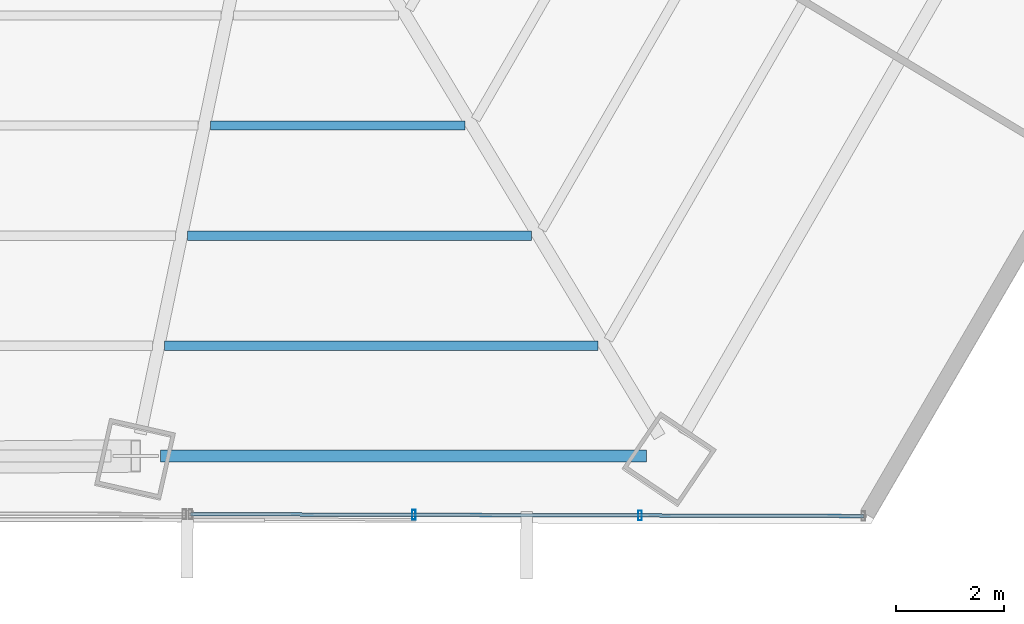
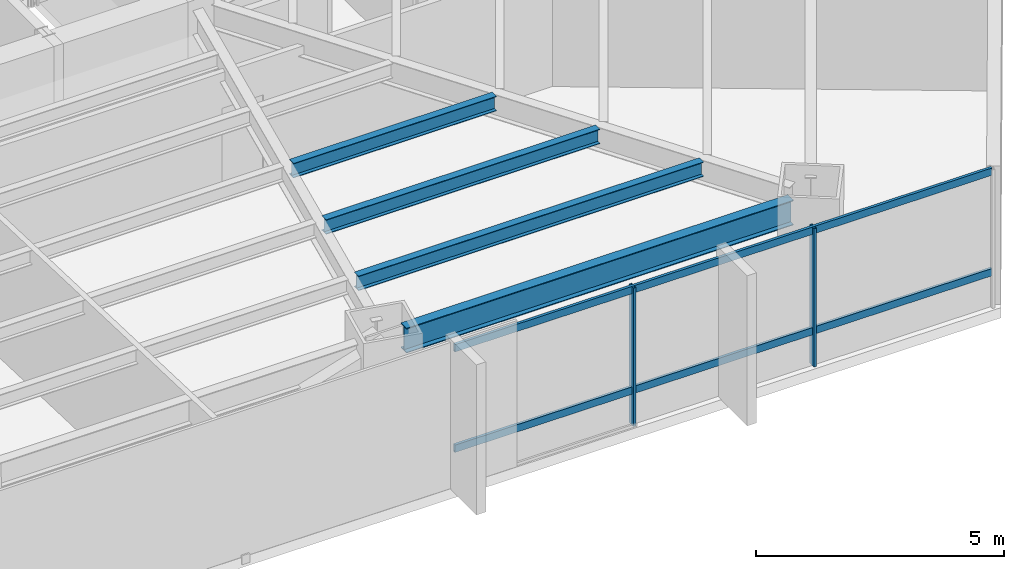
# One storey, part 12 of 33: 4 beams, 4 members, 1 element without a shape of its own.
"""IFC4 building model written with IfcOpenShell, lengths in metres."""

from ifc_helpers import new_model, si_unit, direction, frame, origin, origin_2d, place, context, subcontext, project, spatial, hollow_rectangle, i_section, extrude, source, transform, mapped, material, material_profile, profile_set, type_object, type_shapes, element, aggregate, save


model = new_model("IFC4")

# Units and contexts
model_context = context("Model", 3, precision=1e-05, world=origin(), true_north=direction((0.0, 1.0)))
body_context = subcontext(model_context, "Body", "Model", "MODEL_VIEW")
ifc_project = project(units=[si_unit("LENGTHUNIT", "METRE"), si_unit("AREAUNIT", "SQUARE_METRE"), si_unit("VOLUMEUNIT", "CUBIC_METRE"), si_unit("PLANEANGLEUNIT", "RADIAN"), si_unit("MASSUNIT", "GRAM", prefix="KILO")], contexts=[model_context])

# Site, building, storey
site_placement = place(None, origin())
site = spatial("IfcSite", under=ifc_project, at=site_placement, CompositionType="ELEMENT")
building_placement = place(site_placement, origin())
building = spatial("IfcBuilding", under=site, at=building_placement, Name="Caelisora Broadcast Tower", CompositionType="ELEMENT")
storey_placement = place(building_placement, frame((0.0, 0.0, 42.199951171875)))
storey = spatial("IfcBuildingStorey", under=building, at=storey_placement, Name="L10", CompositionType="ELEMENT", Elevation=42.199951171875)

# Beams
ifc_material_1 = material(Name="Steel Grade 350 (AS/NZS 3679.1)", Category="steel")
ifc_material_profile_1 = material_profile(ifc_material_1, i_section(OverallWidth=0.22900390625, OverallDepth=0.611572265625, WebThickness=0.011962890625, FlangeThickness=0.01953125, at=origin_2d()), Name="Steel Grade 350 (AS/NZS 3679.1)")
ifc_profile_set_1 = profile_set([ifc_material_profile_1], Name="Steel Grade 350 (AS/NZS 3679.1)")
beam_type_1 = type_object("IfcBeamType", Name="PG03", PredefinedType="BEAM", material=ifc_profile_set_1)
shared_shape_1 = source(origin(), body_context, "Body", "SweptSolid", [
    extrude(i_section(OverallWidth=0.22900390625, OverallDepth=0.611572265625, WebThickness=0.011962890625, FlangeThickness=0.01953125, at=origin_2d()), origin(), (0.0, 0.0, 1.0), 8.998779296875),
])
type_shapes(beam_type_1, [shared_shape_1])
beam_1_placement = place(storey_placement, frame((43.41943359375, 5.16162109375, 3.09423828125), z_axis=(1.0, 0.0, 0.0), x_axis=(0.0, 1.0, 0.0)))
element("IfcBeam", 1, at=beam_1_placement, inside=storey, type_object=beam_type_1, Name="L10 beam PG03", PredefinedType="BEAM", context=body_context, shape_type="MappedRepresentation", body=[
    mapped(shared_shape_1, transform((0.0, 0.0, 0.0), scale=1.0)),
])
ifc_material_profile_2 = material_profile(ifc_material_1, i_section(OverallWidth=0.172119140625, OverallDepth=0.358642578125, WebThickness=0.008056640625, FlangeThickness=0.012939453125, at=origin_2d()), Name="Steel Grade 350 (AS/NZS 3679.1)")
ifc_profile_set_2 = profile_set([ifc_material_profile_2], Name="Steel Grade 350 (AS/NZS 3679.1)")
beam_type_2 = type_object("IfcBeamType", Name="SB02", PredefinedType="JOIST", material=ifc_profile_set_2)
shared_shape_2 = source(origin(), body_context, "Body", "SweptSolid", [
    extrude(i_section(OverallWidth=0.172119140625, OverallDepth=0.358642578125, WebThickness=0.008056640625, FlangeThickness=0.012939453125, at=origin_2d()), origin(), (0.0, 0.0, 1.0), 4.716064453125),
])
beam_2_placement = place(storey_placement, frame((44.343017578125, 11.28076171875, 3.220703125), z_axis=(1.0, 0.0, 0.0), x_axis=(0.0, 1.0, 0.0)))
element("IfcBeam", 2, at=beam_2_placement, inside=storey, type_object=beam_type_2, Name="L10 beam SB02", PredefinedType="JOIST", context=body_context, shape_type="MappedRepresentation", body=[
    mapped(shared_shape_2, transform((0.0, 0.0, 0.0), scale=1.0)),
])
shared_shape_3 = source(origin(), body_context, "Body", "SweptSolid", [
    extrude(i_section(OverallWidth=0.172119140625, OverallDepth=0.358642578125, WebThickness=0.008056640625, FlangeThickness=0.012939453125, at=origin_2d()), origin(), (0.0, 0.0, 1.0), 6.369140625),
])
beam_3_placement = place(storey_placement, frame((43.919677734375, 9.240966796875, 3.220703125), z_axis=(1.0, 0.0, 0.0), x_axis=(0.0, 1.0, 0.0)))
element("IfcBeam", 3, at=beam_3_placement, inside=storey, type_object=beam_type_2, Name="L10 beam SB02", PredefinedType="JOIST", context=body_context, shape_type="MappedRepresentation", body=[
    mapped(shared_shape_3, transform((0.0, 0.0, 0.0), scale=1.0)),
])
shared_shape_4 = source(origin(), body_context, "Body", "SweptSolid", [
    extrude(i_section(OverallWidth=0.172119140625, OverallDepth=0.358642578125, WebThickness=0.008056640625, FlangeThickness=0.012939453125, at=origin_2d()), origin(), (0.0, 0.0, 1.0), 8.022216796875),
])
type_shapes(beam_type_2, [shared_shape_2, shared_shape_3, shared_shape_4])
beam_4_placement = place(storey_placement, frame((43.49609375, 7.201171875, 3.220703125), z_axis=(1.0, 0.0, 0.0), x_axis=(0.0, 1.0, 0.0)))
element("IfcBeam", 4, at=beam_4_placement, inside=storey, type_object=beam_type_2, Name="L10 beam SB02", PredefinedType="JOIST", context=body_context, shape_type="MappedRepresentation", body=[
    mapped(shared_shape_4, transform((0.0, 0.0, 0.0), scale=1.0)),
])

# Curtain wall, members
ifc_material_2 = material(Name="Unitised Aluminium and Low-E Glass Curtain Wall", Category="glass")
curtain_wall_type = type_object("IfcCurtainWallType", Name="CW-Z1", PredefinedType="NOTDEFINED", material=ifc_material_2)
curtain_wall_placement = place(storey_placement, origin())
curtain_wall = element("IfcCurtainWall", 5, at=curtain_wall_placement, inside=storey, type_object=curtain_wall_type, Name="L10 curtain wall CW-Z1", PredefinedType="NOTDEFINED")
ifc_material_3 = material(Name="Aluminium 6063-T6 Anodised Terracotta Bronze", Category="aluminium")
ifc_material_profile_3 = material_profile(ifc_material_3, hollow_rectangle(XDim=0.06494140625, YDim=0.179931640625, WallThickness=0.00341796875, at=origin_2d()), Name="Aluminium 6063-T6 Anodised Terracotta Bronze")
ifc_profile_set_3 = profile_set([ifc_material_profile_3], Name="Aluminium 6063-T6 Anodised Terracotta Bronze")
member_type_1 = type_object("IfcMemberType", Name="CWM-02", PredefinedType="MULLION", material=ifc_profile_set_3)
shared_shape_5 = source(origin(), body_context, "Body", "SweptSolid", [
    extrude(hollow_rectangle(XDim=0.06494140625, YDim=0.179931640625, WallThickness=0.00341796875, at=origin_2d()), origin(), (0.0, 0.0, 1.0), 3.400146484375),
])
type_shapes(member_type_1, [shared_shape_5])
member_1_placement = place(storey_placement, frame((52.29736328125, 4.060546875, 0.0), z_axis=(0.0, 0.0, 1.0), x_axis=(1.0, 0.0, 0.0)))
member_1 = element("IfcMember", 6, at=member_1_placement, type_object=member_type_1, Name="L10-CW-B05 mullion #1", PredefinedType="MULLION", context=body_context, shape_type="MappedRepresentation", body=[
    mapped(shared_shape_5, transform((0.0, 0.0, 0.0), scale=1.0)),
])
member_2_placement = place(storey_placement, frame((48.10888671875, 4.072265625, 0.0), z_axis=(0.0, 0.0, 1.0), x_axis=(1.0, 0.0, 0.0)))
member_2 = element("IfcMember", 7, at=member_2_placement, type_object=member_type_1, Name="L10-CW-B05 mullion #2", PredefinedType="MULLION", context=body_context, shape_type="MappedRepresentation", body=[
    mapped(shared_shape_5, transform((0.0, 0.0, 0.0), scale=1.0)),
])
ifc_material_profile_4 = material_profile(ifc_material_3, hollow_rectangle(XDim=0.06494140625, YDim=0.179931640625, WallThickness=0.00341796875, at=origin_2d()), Name="Aluminium 6063-T6 Anodised Terracotta Bronze")
ifc_profile_set_4 = profile_set([ifc_material_profile_4], Name="Aluminium 6063-T6 Anodised Terracotta Bronze")
member_type_2 = type_object("IfcMemberType", Name="CWT-01", PredefinedType="USERDEFINED", material=ifc_profile_set_4)
shared_shape_6 = source(origin(), body_context, "Body", "SweptSolid", [
    extrude(hollow_rectangle(XDim=0.06494140625, YDim=0.179931640625, WallThickness=0.00341796875, at=origin_2d()), origin(), (0.0, 0.0, 1.0), 12.4658203125),
])
type_shapes(member_type_2, [shared_shape_6])
member_3_placement = place(storey_placement, frame((56.43603515625, 4.049072265625, 0.85009765625), z_axis=(-0.999996132925, 0.002781031157, 0.0), x_axis=(-0.002781031157, -0.999996132925, 0.0)))
member_3 = element("IfcMember", 8, at=member_3_placement, type_object=member_type_2, Name="L10-CW-B05 transom #1", ObjectType="TRANSOM", PredefinedType="USERDEFINED", context=body_context, shape_type="MappedRepresentation", body=[
    mapped(shared_shape_6, transform((0.0, 0.0, 0.0), scale=1.0)),
])
member_4_placement = place(storey_placement, frame((56.43603515625, 4.049072265625, 3.320068359375), z_axis=(-0.999996132925, 0.002781031157, 0.0), x_axis=(-0.002781031157, -0.999996132925, 0.0)))
member_4 = element("IfcMember", 9, at=member_4_placement, type_object=member_type_2, Name="L10-CW-B05 transom #2", ObjectType="TRANSOM", PredefinedType="USERDEFINED", context=body_context, shape_type="MappedRepresentation", body=[
    mapped(shared_shape_6, transform((0.0, 0.0, 0.0), scale=1.0)),
])
aggregate(curtain_wall, [member_1, member_2, member_3, member_4])

save(model, "model.ifc")
